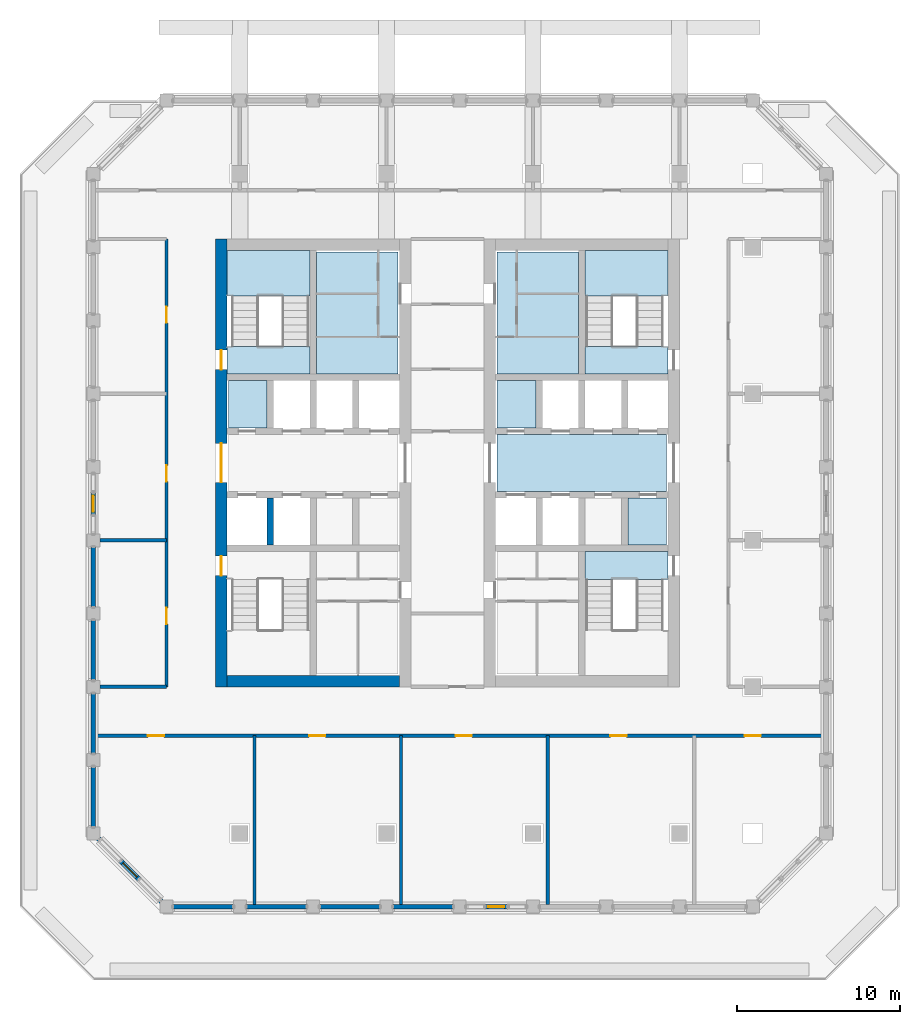
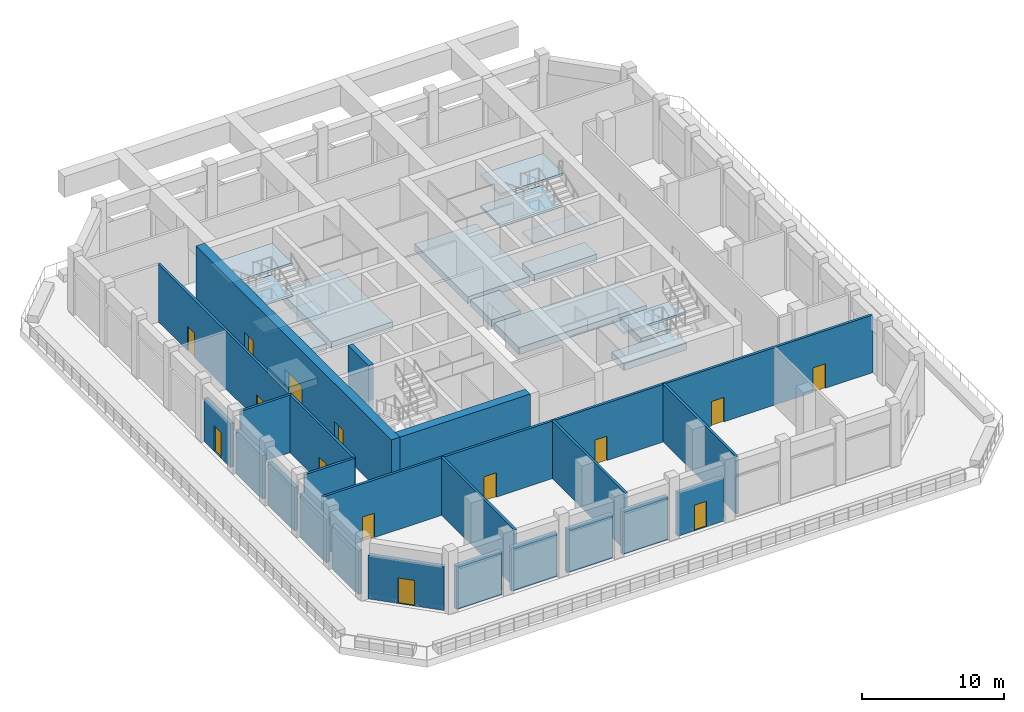
# One storey, part 3 of 19: 21 walls, 16 slabs, 14 doors, 14 openings, 3 elements without a shape of their own.
"""IFC4 building model written with IfcOpenShell, lengths in metres."""

from ifc_helpers import new_model, si_unit, direction, frame, frame_2d, origin, place, context, subcontext, project, spatial, polyline, rectangle, outline, extrude, material, layer, layer_set, type_object, element, fill, aggregate, save


model = new_model("IFC4")

# Units and contexts
model_context = context("Model", 3, precision=1e-05, world=origin(), true_north=direction((0.0, 1.0)))
body_context = subcontext(model_context, "Body", "Model", "MODEL_VIEW")
ifc_project = project(units=[si_unit("LENGTHUNIT", "METRE"), si_unit("AREAUNIT", "SQUARE_METRE"), si_unit("VOLUMEUNIT", "CUBIC_METRE"), si_unit("PLANEANGLEUNIT", "RADIAN"), si_unit("MASSUNIT", "GRAM", prefix="KILO")], contexts=[model_context])

# Site, building, storey
site_placement = place(None, origin())
site = spatial("IfcSite", under=ifc_project, at=site_placement, CompositionType="ELEMENT")
building_placement = place(site_placement, origin())
building = spatial("IfcBuilding", under=site, at=building_placement, Name="Corbel Stack Research Tower", CompositionType="ELEMENT")
storey_placement = place(building_placement, frame((0.0, 0.0, 226.199951171875)))
storey = spatial("IfcBuildingStorey", under=building, at=storey_placement, Name="L51", CompositionType="ELEMENT", Elevation=226.199951171875)

# Slabs
ifc_material_1 = material(Name="Concrete C45/55", Category="concrete")
ifc_layer_1 = layer(ifc_material_1, 0.60009765625)
ifc_layer_set_1 = layer_set([ifc_layer_1], Name="Concrete C45/55")
slab_type_1 = type_object("IfcSlabType", Name="PT-600", PredefinedType="FLOOR", material=ifc_layer_set_1)
slab_1_placement = place(storey_placement, frame((0.0, 0.0, -0.599853515625)))
element("IfcSlab", 1, at=slab_1_placement, inside=storey, type_object=slab_type_1, Name="West core floor L51", PredefinedType="FLOOR", context=body_context, shape_type="SweptSolid", body=[
    extrude(outline(polyline([(-9.699951171875, 6.89990234375), (-7.324951171875, 6.89990234375), (-7.324951171875, 9.800048828125), (-9.699951171875, 9.800048828125), (-9.699951171875, 6.89990234375)])), origin(), (0.0, 0.0, 1.0), 0.599853515625),
])
slab_2_placement = place(storey_placement, frame((0.0, 0.0, -0.599853515625)))
element("IfcSlab", 2, at=slab_2_placement, inside=storey, type_object=slab_type_1, Name="West core floor L51", PredefinedType="FLOOR", context=body_context, shape_type="SweptSolid", body=[
    extrude(outline(polyline([(0.699951171875, 17.699951171875), (-4.300048828125, 17.699951171875), (-4.300048828125, 10.199951171875), (0.699951171875, 10.199951171875), (0.699951171875, 17.699951171875)])), origin(), (0.0, 0.0, 1.0), 0.599853515625),
])
slab_3_placement = place(storey_placement, frame((0.0, 0.0, -0.599853515625)))
element("IfcSlab", 3, at=slab_3_placement, inside=storey, type_object=slab_type_1, Name="East core floor L51", PredefinedType="FLOOR", context=body_context, shape_type="SweptSolid", body=[
    extrude(outline(polyline([(17.199951171875, 6.5), (6.800048828125, 6.5), (6.800048828125, 3.0), (17.199951171875, 3.0), (17.199951171875, 6.5)])), origin(), (0.0, 0.0, 1.0), 0.599853515625),
])
slab_4_placement = place(storey_placement, frame((0.0, 0.0, -0.599853515625)))
element("IfcSlab", 4, at=slab_4_placement, inside=storey, type_object=slab_type_1, Name="East core floor L51", PredefinedType="FLOOR", context=body_context, shape_type="SweptSolid", body=[
    extrude(outline(polyline([(6.800048828125, 6.89990234375), (9.175048828125, 6.89990234375), (9.175048828125, 9.800048828125), (6.800048828125, 9.800048828125), (6.800048828125, 6.89990234375)])), origin(), (0.0, 0.0, 1.0), 0.599853515625),
])
slab_5_placement = place(storey_placement, frame((0.0, 0.0, -0.599853515625)))
element("IfcSlab", 5, at=slab_5_placement, inside=storey, type_object=slab_type_1, Name="East core floor L51", PredefinedType="FLOOR", context=body_context, shape_type="SweptSolid", body=[
    extrude(outline(polyline([(6.800048828125, 17.699951171875), (6.800048828125, 10.199951171875), (11.800048828125, 10.199951171875), (11.800048828125, 17.699951171875), (6.800048828125, 17.699951171875)])), origin(), (0.0, 0.0, 1.0), 0.599853515625),
])
slab_6_placement = place(storey_placement, frame((0.0, 0.0, -0.599853515625)))
element("IfcSlab", 6, at=slab_6_placement, inside=storey, type_object=slab_type_1, Name="East core floor L51", PredefinedType="FLOOR", context=body_context, shape_type="SweptSolid", body=[
    extrude(outline(polyline([(17.199951171875, -0.300048828125), (17.199951171875, 2.60009765625), (14.824951171875, 2.60009765625), (14.824951171875, -0.300048828125), (17.199951171875, -0.300048828125)])), origin(), (0.0, 0.0, 1.0), 0.599853515625),
])
slab_7_placement = place(storey_placement, frame((0.0, 0.0, -0.599853515625)))
element("IfcSlab", 7, at=slab_7_placement, inside=storey, type_object=slab_type_1, Name="Stair floor landing ST-W2", PredefinedType="FLOOR", context=body_context, shape_type="SweptSolid", body=[
    extrude(outline(polyline([(-9.800048828125, 10.199951171875), (-4.699951171875, 10.199951171875), (-4.699951171875, 11.89990234375), (-9.800048828125, 11.89990234375), (-9.800048828125, 10.199951171875)])), origin(), (0.0, 0.0, 1.0), 0.599853515625),
])
slab_8_placement = place(storey_placement, frame((0.0, 0.0, -0.599853515625)))
element("IfcSlab", 8, at=slab_8_placement, inside=storey, type_object=slab_type_1, Name="Stair floor landing ST-E1", PredefinedType="FLOOR", context=body_context, shape_type="SweptSolid", body=[
    extrude(outline(polyline([(12.199951171875, -2.39990234375), (17.300048828125, -2.39990234375), (17.300048828125, -0.699951171875), (12.199951171875, -0.699951171875), (12.199951171875, -2.39990234375)])), origin(), (0.0, 0.0, 1.0), 0.599853515625),
])
slab_9_placement = place(storey_placement, frame((0.0, 0.0, -0.599853515625)))
element("IfcSlab", 9, at=slab_9_placement, inside=storey, type_object=slab_type_1, Name="Stair floor landing ST-E2", PredefinedType="FLOOR", context=body_context, shape_type="SweptSolid", body=[
    extrude(outline(polyline([(12.199951171875, 10.199951171875), (17.300048828125, 10.199951171875), (17.300048828125, 11.89990234375), (12.199951171875, 11.89990234375), (12.199951171875, 10.199951171875)])), origin(), (0.0, 0.0, 1.0), 0.599853515625),
])

# Stair, slabs
ifc_material_2 = material(Name="Concrete C40/50", Category="concrete")
stair_type = type_object("IfcStairType", Name="Exit stair 32 risers, 443 going", PredefinedType="HALF_TURN_STAIR", material=ifc_material_2)
stair_1_placement = place(storey_placement, origin())
stair_1 = element("IfcStair", 10, at=stair_1_placement, inside=storey, type_object=stair_type, Name="L51 Exit stair ST-W2", PredefinedType="HALF_TURN_STAIR")
ifc_material_3 = material(Name="Concrete C40/50", Category="concrete")
ifc_layer_2 = layer(ifc_material_3, 0.199951171875)
ifc_layer_set_2 = layer_set([ifc_layer_2], Name="Concrete C40/50")
slab_type_2 = type_object("IfcSlabType", Name="Stair landing 200 C40/50", PredefinedType="LANDING", material=ifc_layer_set_2)
slab_10_placement = place(storey_placement, frame((0.0, 0.0, 1.150146484375)))
slab_10 = element("IfcSlab", 11, at=slab_10_placement, type_object=slab_type_2, Name="ST-W2 landing 1", PredefinedType="LANDING", context=body_context, shape_type="SweptSolid", body=[
    extrude(outline(polyline([(-9.800048828125, 15.0009765625), (-9.800048828125, 17.800048828125), (-4.699951171875, 17.800048828125), (-4.699951171875, 15.0009765625), (-9.800048828125, 15.0009765625)])), origin(), (0.0, 0.0, 1.0), 0.199951171875),
])
slab_11_placement = place(storey_placement, frame((0.0, 0.0, 2.5)))
slab_11 = element("IfcSlab", 12, at=slab_11_placement, type_object=slab_type_2, Name="ST-W2 landing 2", PredefinedType="LANDING", context=body_context, shape_type="SweptSolid", body=[
    extrude(outline(polyline([(-9.800048828125, 10.199951171875), (-9.800048828125, 11.89990234375), (-4.699951171875, 11.89990234375), (-4.699951171875, 10.199951171875), (-9.800048828125, 10.199951171875)])), origin(), (0.0, 0.0, 1.0), 0.199951171875),
])
slab_12_placement = place(storey_placement, frame((0.0, 0.0, 3.85009765625)))
slab_12 = element("IfcSlab", 13, at=slab_12_placement, type_object=slab_type_2, Name="ST-W2 landing 3", PredefinedType="LANDING", context=body_context, shape_type="SweptSolid", body=[
    extrude(outline(polyline([(-9.800048828125, 15.0009765625), (-9.800048828125, 17.800048828125), (-4.699951171875, 17.800048828125), (-4.699951171875, 15.0009765625), (-9.800048828125, 15.0009765625)])), origin(), (0.0, 0.0, 1.0), 0.199951171875),
])
aggregate(stair_1, [slab_10, slab_11, slab_12])

# Stair, slab
stair_2_placement = place(storey_placement, origin())
stair_2 = element("IfcStair", 14, at=stair_2_placement, inside=storey, type_object=stair_type, Name="L51 Exit stair ST-E1", PredefinedType="HALF_TURN_STAIR")
slab_13_placement = place(storey_placement, frame((0.0, 0.0, 2.5)))
slab_13 = element("IfcSlab", 15, at=slab_13_placement, type_object=slab_type_2, Name="ST-E1 landing 2", PredefinedType="LANDING", context=body_context, shape_type="SweptSolid", body=[
    extrude(outline(polyline([(12.199951171875, -2.39990234375), (12.199951171875, -0.699951171875), (17.300048828125, -0.699951171875), (17.300048828125, -2.39990234375), (12.199951171875, -2.39990234375)])), origin(), (0.0, 0.0, 1.0), 0.199951171875),
])
aggregate(stair_2, [slab_13])

# Stair, slabs
stair_3_placement = place(storey_placement, origin())
stair_3 = element("IfcStair", 16, at=stair_3_placement, inside=storey, type_object=stair_type, Name="L51 Exit stair ST-E2", PredefinedType="HALF_TURN_STAIR")
slab_14_placement = place(storey_placement, frame((0.0, 0.0, 1.150146484375)))
slab_14 = element("IfcSlab", 17, at=slab_14_placement, type_object=slab_type_2, Name="ST-E2 landing 1", PredefinedType="LANDING", context=body_context, shape_type="SweptSolid", body=[
    extrude(outline(polyline([(12.199951171875, 15.0009765625), (12.199951171875, 17.800048828125), (17.300048828125, 17.800048828125), (17.300048828125, 15.0009765625), (12.199951171875, 15.0009765625)])), origin(), (0.0, 0.0, 1.0), 0.199951171875),
])
slab_15_placement = place(storey_placement, frame((0.0, 0.0, 2.5)))
slab_15 = element("IfcSlab", 18, at=slab_15_placement, type_object=slab_type_2, Name="ST-E2 landing 2", PredefinedType="LANDING", context=body_context, shape_type="SweptSolid", body=[
    extrude(outline(polyline([(12.199951171875, 10.199951171875), (12.199951171875, 11.89990234375), (17.300048828125, 11.89990234375), (17.300048828125, 10.199951171875), (12.199951171875, 10.199951171875)])), origin(), (0.0, 0.0, 1.0), 0.199951171875),
])
slab_16_placement = place(storey_placement, frame((0.0, 0.0, 3.85009765625)))
slab_16 = element("IfcSlab", 19, at=slab_16_placement, type_object=slab_type_2, Name="ST-E2 landing 3", PredefinedType="LANDING", context=body_context, shape_type="SweptSolid", body=[
    extrude(outline(polyline([(12.199951171875, 15.0009765625), (12.199951171875, 17.800048828125), (17.300048828125, 17.800048828125), (17.300048828125, 15.0009765625), (12.199951171875, 15.0009765625)])), origin(), (0.0, 0.0, 1.0), 0.199951171875),
])
aggregate(stair_3, [slab_14, slab_15, slab_16])

# Wall
ifc_material_4 = material(Name="Concrete C60/75", Category="concrete")
ifc_layer_3 = layer(ifc_material_4, 0.39990234375)
ifc_layer_set_3 = layer_set([ifc_layer_3], Name="Concrete C60/75")
wall_type_1 = type_object("IfcWallType", Name="CW-400-60", PredefinedType="SHEAR", material=ifc_layer_set_3)
wall_1_placement = place(storey_placement, frame((-7.125, -0.300048828125, 0.0), z_axis=(0.0, 0.0, 1.0), x_axis=(0.0, 1.0, 0.0)))
element("IfcWall", 20, at=wall_1_placement, inside=storey, type_object=wall_type_1, Name="West core wall, south shaft 1 L51", PredefinedType="SHEAR", context=body_context, shape_type="SweptSolid", body=[
    extrude(rectangle(XDim=2.900146484375, YDim=0.39990234375, at=frame_2d((1.4501953125, 0.0))), origin(), (0.0, 0.0, 1.0), 5.400146484375),
])

# Wall, openings, doors
ifc_material_5 = material(Name="Concrete C60/75", Category="concrete")
ifc_layer_4 = layer(ifc_material_5, 0.699951171875)
ifc_layer_set_4 = layer_set([ifc_layer_4], Name="Concrete C60/75")
wall_type_2 = type_object("IfcWallType", Name="CW-700-60", PredefinedType="SHEAR", material=ifc_layer_set_4)
wall_2_placement = place(storey_placement, frame((-10.14990234375, -9.0, 0.0), z_axis=(0.0, 0.0, 1.0), x_axis=(0.0, 1.0, 0.0)))
wall_2 = element("IfcWall", 21, at=wall_2_placement, inside=storey, type_object=wall_type_2, Name="West core wall, west face L51", PredefinedType="SHEAR", context=body_context, shape_type="SweptSolid", body=[
    extrude(rectangle(XDim=27.5, YDim=0.699951171875, at=frame_2d((13.75, 0.0))), origin(), (0.0, 0.0, 1.0), 5.400146484375),
])
opening_1_placement = place(wall_2_placement, frame((12.550048828125, 0.0, 0.0)))
opening_1 = element("IfcOpeningElement", 22, at=opening_1_placement, cuts=wall_2, Name="Opening CD-W-W", PredefinedType="OPENING", context=body_context, shape_type="SweptSolid", body=[
    extrude(rectangle(XDim=2.39990234375, YDim=2.39990234375, at=frame_2d((1.199951171875, 1.199951171875))), frame((0.0, 0.35986328125, 0.0), z_axis=(0.0, -1.0, 0.0), x_axis=(1.0, 0.0, 0.0)), (0.0, 0.0, 1.0), 0.719970703125),
])
opening_2_placement = place(wall_2_placement, frame((6.824951171875, 0.0, 0.0)))
opening_2 = element("IfcOpeningElement", 23, at=opening_2_placement, cuts=wall_2, Name="Opening SD-ST-W1", PredefinedType="OPENING", context=body_context, shape_type="SweptSolid", body=[
    extrude(rectangle(XDim=1.199951171875, YDim=2.10009765625, at=frame_2d((0.60009765625, 1.050048828125))), frame((0.0, 0.35986328125, 0.0), z_axis=(0.0, -1.0, 0.0), x_axis=(1.0, 0.0, 0.0)), (0.0, 0.0, 1.0), 0.719970703125),
])
opening_3_placement = place(wall_2_placement, frame((19.47509765625, 0.0, 0.0)))
opening_3 = element("IfcOpeningElement", 24, at=opening_3_placement, cuts=wall_2, Name="Opening SD-ST-W2", PredefinedType="OPENING", context=body_context, shape_type="SweptSolid", body=[
    extrude(rectangle(XDim=1.199951171875, YDim=2.10009765625, at=frame_2d((0.60009765625, 1.050048828125))), frame((0.0, 0.35986328125, 0.0), z_axis=(0.0, -1.0, 0.0), x_axis=(1.0, 0.0, 0.0)), (0.0, 0.0, 1.0), 0.719970703125),
])
ifc_material_6 = material(Name="Painted steel fire door", Category="steel")
door_type_1 = type_object("IfcDoorType", Name="Lobby door pair 2400 x 2400 FD30S", OperationType="DOUBLE_DOOR_DOUBLE_SWING", PredefinedType="DOOR", material=ifc_material_6)
door_1_placement = place(opening_1_placement, origin())
door_1 = element("IfcDoor", 25, at=door_1_placement, inside=storey, type_object=door_type_1, Name="Lift lobby door W core W", OperationType="DOUBLE_DOOR_DOUBLE_SWING", OverallHeight=2.39990234375, OverallWidth=2.39990234375, PredefinedType="DOOR", context=body_context, shape_type="SweptSolid", body=[
    extrude(rectangle(XDim=2.39990234375, YDim=2.39990234375, at=frame_2d((1.199951171875, 1.199951171875))), frame((0.0, 0.02490234375, 0.0), z_axis=(0.0, -1.0, 0.0), x_axis=(1.0, 0.0, 0.0)), (0.0, 0.0, 1.0), 0.050048828125),
])
fill(opening_1, door_1)
ifc_material_7 = material(Name="Painted steel fire door", Category="steel")
door_type_2 = type_object("IfcDoorType", Name="Stair door 1200 x 2100 FD90 left hand", OperationType="SINGLE_SWING_LEFT", PredefinedType="DOOR", material=ifc_material_7)
door_2_placement = place(opening_2_placement, origin())
door_2 = element("IfcDoor", 26, at=door_2_placement, inside=storey, type_object=door_type_2, Name="Stair door ST-W1", OperationType="SINGLE_SWING_LEFT", OverallHeight=2.10009765625, OverallWidth=1.199951171875, PredefinedType="DOOR", context=body_context, shape_type="SweptSolid", body=[
    extrude(rectangle(XDim=1.199951171875, YDim=2.10009765625, at=frame_2d((0.60009765625, 1.050048828125))), frame((0.0, 0.02490234375, 0.0), z_axis=(0.0, -1.0, 0.0), x_axis=(1.0, 0.0, 0.0)), (0.0, 0.0, 1.0), 0.050048828125),
])
fill(opening_2, door_2)
door_3_placement = place(opening_3_placement, origin())
door_3 = element("IfcDoor", 27, at=door_3_placement, inside=storey, type_object=door_type_2, Name="Stair door ST-W2", OperationType="SINGLE_SWING_LEFT", OverallHeight=2.10009765625, OverallWidth=1.199951171875, PredefinedType="DOOR", context=body_context, shape_type="SweptSolid", body=[
    extrude(rectangle(XDim=1.199951171875, YDim=2.10009765625, at=frame_2d((0.60009765625, 1.050048828125))), frame((0.0, 0.02490234375, 0.0), z_axis=(0.0, -1.0, 0.0), x_axis=(1.0, 0.0, 0.0)), (0.0, 0.0, 1.0), 0.050048828125),
])
fill(opening_3, door_3)

# Wall
wall_3_placement = place(storey_placement, frame((-9.800048828125, -8.64990234375, 0.0), z_axis=(0.0, 0.0, 1.0), x_axis=(1.0, 0.0, 0.0)))
element("IfcWall", 28, at=wall_3_placement, inside=storey, type_object=wall_type_2, Name="West core wall, south end L51", PredefinedType="SHEAR", context=body_context, shape_type="SweptSolid", body=[
    extrude(rectangle(XDim=10.60009765625, YDim=0.699951171875, at=frame_2d((5.300048828125, 0.0))), origin(), (0.0, 0.0, 1.0), 5.400146484375),
])

# Wall, openings, doors
ifc_material_8 = material(Name="Fire-rated gypsum board partition on steel studs", Category="steel")
ifc_layer_5 = layer(ifc_material_8, 0.199951171875)
ifc_layer_set_5 = layer_set([ifc_layer_5], Name="Fire-rated gypsum board partition on steel studs")
wall_type_3 = type_object("IfcWallType", Name="Fire-rated partition 200 EI 60", PredefinedType="PARTITIONING", material=ifc_layer_set_5)
wall_4_placement = place(storey_placement, frame((-13.5, -9.0, 0.0), z_axis=(0.0, 0.0, 1.0), x_axis=(0.0, 1.0, 0.0)))
wall_4 = element("IfcWall", 29, at=wall_4_placement, inside=storey, type_object=wall_type_3, Name="Partition L51-001", PredefinedType="PARTITIONING", context=body_context, shape_type="SweptSolid", body=[
    extrude(rectangle(XDim=27.5, YDim=0.199951171875, at=frame_2d((13.75, 0.0))), origin(), (0.0, 0.0, 1.0), 4.949951171875),
])
opening_4_placement = place(wall_4_placement, frame((3.85009765625, 0.0, 0.0)))
opening_4 = element("IfcOpeningElement", 30, at=opening_4_placement, cuts=wall_4, Name="Opening PLANTL51-001", PredefinedType="OPENING", context=body_context, shape_type="SweptSolid", body=[
    extrude(rectangle(XDim=1.0, YDim=2.10009765625, at=frame_2d((0.5, 1.050048828125))), frame((0.0, 0.10986328125, 0.0), z_axis=(0.0, -1.0, 0.0), x_axis=(1.0, 0.0, 0.0)), (0.0, 0.0, 1.0), 0.219970703125),
])
opening_5_placement = place(wall_4_placement, frame((12.60009765625, 0.0, 0.0)))
opening_5 = element("IfcOpeningElement", 31, at=opening_5_placement, cuts=wall_4, Name="Opening PLANTL51-002", PredefinedType="OPENING", context=body_context, shape_type="SweptSolid", body=[
    extrude(rectangle(XDim=1.0, YDim=2.10009765625, at=frame_2d((0.5, 1.050048828125))), frame((0.0, 0.10986328125, 0.0), z_axis=(0.0, -1.0, 0.0), x_axis=(1.0, 0.0, 0.0)), (0.0, 0.0, 1.0), 0.219970703125),
])
opening_6_placement = place(wall_4_placement, frame((22.35009765625, 0.0, 0.0)))
opening_6 = element("IfcOpeningElement", 32, at=opening_6_placement, cuts=wall_4, Name="Opening PLANTL51-003", PredefinedType="OPENING", context=body_context, shape_type="SweptSolid", body=[
    extrude(rectangle(XDim=1.0, YDim=2.10009765625, at=frame_2d((0.5, 1.050048828125))), frame((0.0, 0.10986328125, 0.0), z_axis=(0.0, -1.0, 0.0), x_axis=(1.0, 0.0, 0.0)), (0.0, 0.0, 1.0), 0.219970703125),
])
ifc_material_9 = material(Name="Painted steel fire door", Category="steel")
door_type_3 = type_object("IfcDoorType", Name="Fire door FD30S 1000 x 2100", OperationType="NOTDEFINED", PredefinedType="DOOR", material=ifc_material_9)
door_4_placement = place(opening_4_placement, origin())
door_4 = element("IfcDoor", 33, at=door_4_placement, inside=storey, type_object=door_type_3, Name="Door PLANTL51-001", OperationType="SINGLE_SWING_LEFT", OverallHeight=2.10009765625, OverallWidth=1.0, PredefinedType="DOOR", context=body_context, shape_type="SweptSolid", body=[
    extrude(rectangle(XDim=1.0, YDim=2.10009765625, at=frame_2d((0.5, 1.050048828125))), frame((0.0, 0.02490234375, 0.0), z_axis=(0.0, -1.0, 0.0), x_axis=(1.0, 0.0, 0.0)), (0.0, 0.0, 1.0), 0.050048828125),
])
fill(opening_4, door_4)
door_5_placement = place(opening_5_placement, origin())
door_5 = element("IfcDoor", 34, at=door_5_placement, inside=storey, type_object=door_type_3, Name="Door PLANTL51-002", OperationType="SINGLE_SWING_LEFT", OverallHeight=2.10009765625, OverallWidth=1.0, PredefinedType="DOOR", context=body_context, shape_type="SweptSolid", body=[
    extrude(rectangle(XDim=1.0, YDim=2.10009765625, at=frame_2d((0.5, 1.050048828125))), frame((0.0, 0.02490234375, 0.0), z_axis=(0.0, -1.0, 0.0), x_axis=(1.0, 0.0, 0.0)), (0.0, 0.0, 1.0), 0.050048828125),
])
fill(opening_5, door_5)
door_6_placement = place(opening_6_placement, origin())
door_6 = element("IfcDoor", 35, at=door_6_placement, inside=storey, type_object=door_type_3, Name="Door PLANTL51-003", OperationType="SINGLE_SWING_RIGHT", OverallHeight=2.10009765625, OverallWidth=1.0, PredefinedType="DOOR", context=body_context, shape_type="SweptSolid", body=[
    extrude(rectangle(XDim=1.0, YDim=2.10009765625, at=frame_2d((0.5, 1.050048828125))), frame((0.0, 0.02490234375, 0.0), z_axis=(0.0, -1.0, 0.0), x_axis=(1.0, 0.0, 0.0)), (0.0, 0.0, 1.0), 0.050048828125),
])
fill(opening_6, door_6)

# Walls
for number, where, z_axis, x_axis, name in (
    (36, (-8.10009765625, -22.35009765625, 0.0), (0.0, 0.0, 1.0), (0.0, 1.0, 0.0), "Partition L51-004"),
    (37, (0.89990234375, -22.35009765625, 0.0), (0.0, 0.0, 1.0), (0.0, 1.0, 0.0), "Partition L51-007"),
    (38, (9.89990234375, -22.35009765625, 0.0), (0.0, 0.0, 1.0), (0.0, 1.0, 0.0), "Partition L51-010"),
):
    element("IfcWall", number, at=place(storey_placement, frame(where, z_axis=z_axis, x_axis=x_axis)), inside=storey, type_object=wall_type_3, Name=name, PredefinedType="PARTITIONING", context=body_context, shape_type="SweptSolid", body=[
        extrude(rectangle(XDim=10.35009765625, YDim=0.199951171875, at=frame_2d((5.175048828125, 0.0))), origin(), (0.0, 0.0, 1.0), 4.949951171875),
    ])

# Wall, openings, doors
wall_5_placement = place(storey_placement, frame((26.85009765625, -12.0, 0.0), z_axis=(0.0, 0.0, 1.0), x_axis=(-1.0, 0.0, 0.0)))
wall_5 = element("IfcWall", 39, at=wall_5_placement, inside=storey, type_object=wall_type_3, Name="Partition L51-015", PredefinedType="PARTITIONING", context=body_context, shape_type="SweptSolid", body=[
    extrude(rectangle(XDim=44.7001953125, YDim=0.199951171875, at=frame_2d((22.35009765625, 0.0))), origin(), (0.0, 0.0, 1.0), 4.949951171875),
])
opening_7_placement = place(wall_5_placement, frame((40.5, 0.0, 0.0)))
opening_7 = element("IfcOpeningElement", 40, at=opening_7_placement, cuts=wall_5, Name="Opening PLANTL51-004", PredefinedType="OPENING", context=body_context, shape_type="SweptSolid", body=[
    extrude(rectangle(XDim=1.0, YDim=2.10009765625, at=frame_2d((0.5, 1.050048828125))), frame((0.0, 0.10986328125, 0.0), z_axis=(0.0, -1.0, 0.0), x_axis=(1.0, 0.0, 0.0)), (0.0, 0.0, 1.0), 0.219970703125),
])
opening_8_placement = place(wall_5_placement, frame((30.60009765625, 0.0, 0.0)))
opening_8 = element("IfcOpeningElement", 41, at=opening_8_placement, cuts=wall_5, Name="Opening PLANTL51-005", PredefinedType="OPENING", context=body_context, shape_type="SweptSolid", body=[
    extrude(rectangle(XDim=1.0, YDim=2.10009765625, at=frame_2d((0.5, 1.050048828125))), frame((0.0, 0.10986328125, 0.0), z_axis=(0.0, -1.0, 0.0), x_axis=(1.0, 0.0, 0.0)), (0.0, 0.0, 1.0), 0.219970703125),
])
opening_9_placement = place(wall_5_placement, frame((21.60009765625, 0.0, 0.0)))
opening_9 = element("IfcOpeningElement", 42, at=opening_9_placement, cuts=wall_5, Name="Opening PLANTL51-006", PredefinedType="OPENING", context=body_context, shape_type="SweptSolid", body=[
    extrude(rectangle(XDim=1.0, YDim=2.10009765625, at=frame_2d((0.5, 1.050048828125))), frame((0.0, 0.10986328125, 0.0), z_axis=(0.0, -1.0, 0.0), x_axis=(1.0, 0.0, 0.0)), (0.0, 0.0, 1.0), 0.219970703125),
])
opening_10_placement = place(wall_5_placement, frame((12.10009765625, 0.0, 0.0)))
opening_10 = element("IfcOpeningElement", 43, at=opening_10_placement, cuts=wall_5, Name="Opening PLANTL51-007", PredefinedType="OPENING", context=body_context, shape_type="SweptSolid", body=[
    extrude(rectangle(XDim=1.0, YDim=2.10009765625, at=frame_2d((0.5, 1.050048828125))), frame((0.0, 0.10986328125, 0.0), z_axis=(0.0, -1.0, 0.0), x_axis=(1.0, 0.0, 0.0)), (0.0, 0.0, 1.0), 0.219970703125),
])
opening_11_placement = place(wall_5_placement, frame((3.85009765625, 0.0, 0.0)))
opening_11 = element("IfcOpeningElement", 44, at=opening_11_placement, cuts=wall_5, Name="Opening PLANTL51-008", PredefinedType="OPENING", context=body_context, shape_type="SweptSolid", body=[
    extrude(rectangle(XDim=1.0, YDim=2.10009765625, at=frame_2d((0.5, 1.050048828125))), frame((0.0, 0.10986328125, 0.0), z_axis=(0.0, -1.0, 0.0), x_axis=(1.0, 0.0, 0.0)), (0.0, 0.0, 1.0), 0.219970703125),
])
door_7_placement = place(opening_7_placement, origin())
door_7 = element("IfcDoor", 45, at=door_7_placement, inside=storey, type_object=door_type_3, Name="Door PLANTL51-004", OperationType="SINGLE_SWING_RIGHT", OverallHeight=2.10009765625, OverallWidth=1.0, PredefinedType="DOOR", context=body_context, shape_type="SweptSolid", body=[
    extrude(rectangle(XDim=1.0, YDim=2.10009765625, at=frame_2d((0.5, 1.050048828125))), frame((0.0, 0.02490234375, 0.0), z_axis=(0.0, -1.0, 0.0), x_axis=(1.0, 0.0, 0.0)), (0.0, 0.0, 1.0), 0.050048828125),
])
fill(opening_7, door_7)
door_8_placement = place(opening_8_placement, origin())
door_8 = element("IfcDoor", 46, at=door_8_placement, inside=storey, type_object=door_type_3, Name="Door PLANTL51-005", OperationType="SINGLE_SWING_RIGHT", OverallHeight=2.10009765625, OverallWidth=1.0, PredefinedType="DOOR", context=body_context, shape_type="SweptSolid", body=[
    extrude(rectangle(XDim=1.0, YDim=2.10009765625, at=frame_2d((0.5, 1.050048828125))), frame((0.0, 0.02490234375, 0.0), z_axis=(0.0, -1.0, 0.0), x_axis=(1.0, 0.0, 0.0)), (0.0, 0.0, 1.0), 0.050048828125),
])
fill(opening_8, door_8)
door_9_placement = place(opening_9_placement, origin())
door_9 = element("IfcDoor", 47, at=door_9_placement, inside=storey, type_object=door_type_3, Name="Door PLANTL51-006", OperationType="SINGLE_SWING_LEFT", OverallHeight=2.10009765625, OverallWidth=1.0, PredefinedType="DOOR", context=body_context, shape_type="SweptSolid", body=[
    extrude(rectangle(XDim=1.0, YDim=2.10009765625, at=frame_2d((0.5, 1.050048828125))), frame((0.0, 0.02490234375, 0.0), z_axis=(0.0, -1.0, 0.0), x_axis=(1.0, 0.0, 0.0)), (0.0, 0.0, 1.0), 0.050048828125),
])
fill(opening_9, door_9)
door_10_placement = place(opening_10_placement, origin())
door_10 = element("IfcDoor", 48, at=door_10_placement, inside=storey, type_object=door_type_3, Name="Door PLANTL51-007", OperationType="SINGLE_SWING_LEFT", OverallHeight=2.10009765625, OverallWidth=1.0, PredefinedType="DOOR", context=body_context, shape_type="SweptSolid", body=[
    extrude(rectangle(XDim=1.0, YDim=2.10009765625, at=frame_2d((0.5, 1.050048828125))), frame((0.0, 0.02490234375, 0.0), z_axis=(0.0, -1.0, 0.0), x_axis=(1.0, 0.0, 0.0)), (0.0, 0.0, 1.0), 0.050048828125),
])
fill(opening_10, door_10)
door_11_placement = place(opening_11_placement, origin())
door_11 = element("IfcDoor", 49, at=door_11_placement, inside=storey, type_object=door_type_3, Name="Door PLANTL51-008", OperationType="SINGLE_SWING_LEFT", OverallHeight=2.10009765625, OverallWidth=1.0, PredefinedType="DOOR", context=body_context, shape_type="SweptSolid", body=[
    extrude(rectangle(XDim=1.0, YDim=2.10009765625, at=frame_2d((0.5, 1.050048828125))), frame((0.0, 0.02490234375, 0.0), z_axis=(0.0, -1.0, 0.0), x_axis=(1.0, 0.0, 0.0)), (0.0, 0.0, 1.0), 0.050048828125),
])
fill(opening_11, door_11)

# Walls
for number, where, z_axis, x_axis, name in (
    (50, (-17.60009765625, -9.0, 0.0), (0.0, 0.0, 1.0), (1.0, 0.0, 0.0), "Partition L51-016"),
    (51, (-17.60009765625, 0.0, 0.0), (0.0, 0.0, 1.0), (1.0, 0.0, 0.0), "Partition L51-021"),
):
    element("IfcWall", number, at=place(storey_placement, frame(where, z_axis=z_axis, x_axis=x_axis)), inside=storey, type_object=wall_type_3, Name=name, PredefinedType="PARTITIONING", context=body_context, shape_type="SweptSolid", body=[
        extrude(rectangle(XDim=4.10009765625, YDim=0.199951171875, at=frame_2d((2.050048828125, 0.0))), origin(), (0.0, 0.0, 1.0), 4.949951171875),
    ])
ifc_material_10 = material(Name="Concrete C45/55", Category="concrete")
ifc_layer_6 = layer(ifc_material_10, 0.300048828125)
ifc_layer_set_6 = layer_set([ifc_layer_6], Name="Concrete C45/55")
wall_type_4 = type_object("IfcWallType", Name="Terracotta-faced concrete wall 300", PredefinedType="SOLIDWALL", material=ifc_layer_set_6)
for number, where, z_axis, x_axis, name in (
    (52, (-9.39990234375, -22.5, 0.0), (0.0, 0.0, 1.0), (-1.0, 0.0, 0.0), "Facade wall L51 S01"),
    (53, (-4.89990234375, -22.5, 0.0), (0.0, 0.0, 1.0), (-1.0, 0.0, 0.0), "Facade wall L51 S02"),
    (54, (-0.39990234375, -22.5, 0.0), (0.0, 0.0, 1.0), (-1.0, 0.0, 0.0), "Facade wall L51 S03"),
    (55, (4.10009765625, -22.5, 0.0), (0.0, 0.0, 1.0), (-1.0, 0.0, 0.0), "Facade wall L51 S04"),
):
    element("IfcWall", number, at=place(storey_placement, frame(where, z_axis=z_axis, x_axis=x_axis)), inside=storey, type_object=wall_type_4, Name=name, PredefinedType="SOLIDWALL", context=body_context, shape_type="SweptSolid", body=[
        extrude(rectangle(XDim=3.7001953125, YDim=0.300048828125, at=frame_2d((1.85009765625, 0.0))), origin(), (0.0, 0.0, 1.0), 3.75),
    ])

# Wall, opening, door
wall_6_placement = place(storey_placement, frame((8.60009765625, -22.5, 0.0), z_axis=(0.0, 0.0, 1.0), x_axis=(-1.0, 0.0, 0.0)))
wall_6 = element("IfcWall", 56, at=wall_6_placement, inside=storey, type_object=wall_type_4, Name="Facade wall L51 S05", PredefinedType="SOLIDWALL", context=body_context, shape_type="SweptSolid", body=[
    extrude(rectangle(XDim=3.7001953125, YDim=0.300048828125, at=frame_2d((1.85009765625, 0.0))), origin(), (0.0, 0.0, 1.0), 3.75),
])
opening_12_placement = place(wall_6_placement, frame((1.35009765625, 0.0, 0.0)))
opening_12 = element("IfcOpeningElement", 57, at=opening_12_placement, cuts=wall_6, Name="Opening L51-B01", PredefinedType="OPENING", context=body_context, shape_type="SweptSolid", body=[
    extrude(rectangle(XDim=1.0, YDim=2.199951171875, at=frame_2d((0.5, 1.10009765625))), frame((0.0, 0.159912109375, 0.0), z_axis=(0.0, -1.0, 0.0), x_axis=(1.0, 0.0, 0.0)), (0.0, 0.0, 1.0), 0.320068359375),
])
ifc_material_11 = material(Name="Aluminium frame, clear double glazing", Category="aluminium")
door_type_4 = type_object("IfcDoorType", Name="Balcony door BD1 1000 x 2200", OperationType="NOTDEFINED", PredefinedType="DOOR", material=ifc_material_11)
door_12_placement = place(opening_12_placement, origin())
door_12 = element("IfcDoor", 58, at=door_12_placement, inside=storey, type_object=door_type_4, Name="Balcony door L51-B01", OperationType="SINGLE_SWING_RIGHT", OverallHeight=2.199951171875, OverallWidth=1.0, PredefinedType="DOOR", context=body_context, shape_type="SweptSolid", body=[
    extrude(rectangle(XDim=1.0, YDim=2.199951171875, at=frame_2d((0.5, 1.10009765625))), frame((0.0, 0.02490234375, 0.0), z_axis=(0.0, -1.0, 0.0), x_axis=(1.0, 0.0, 0.0)), (0.0, 0.0, 1.0), 0.050048828125),
])
fill(opening_12, door_12)

wall_7_placement = place(storey_placement, frame((-18.0, 0.39990234375, 0.0), z_axis=(0.0, 0.0, 1.0), x_axis=(0.0, 1.0, 0.0)))
wall_7 = element("IfcWall", 59, at=wall_7_placement, inside=storey, type_object=wall_type_4, Name="Facade wall L51 W05", PredefinedType="SOLIDWALL", context=body_context, shape_type="SweptSolid", body=[
    extrude(rectangle(XDim=3.7001953125, YDim=0.300048828125, at=frame_2d((1.85009765625, 0.0))), origin(), (0.0, 0.0, 1.0), 3.75),
])
opening_13_placement = place(wall_7_placement, frame((1.35009765625, 0.0, 0.0)))
opening_13 = element("IfcOpeningElement", 60, at=opening_13_placement, cuts=wall_7, Name="Opening L51-B06", PredefinedType="OPENING", context=body_context, shape_type="SweptSolid", body=[
    extrude(rectangle(XDim=1.0, YDim=2.199951171875, at=frame_2d((0.5, 1.10009765625))), frame((0.0, 0.159912109375, 0.0), z_axis=(0.0, -1.0, 0.0), x_axis=(1.0, 0.0, 0.0)), (0.0, 0.0, 1.0), 0.320068359375),
])
door_13_placement = place(opening_13_placement, origin())
door_13 = element("IfcDoor", 61, at=door_13_placement, inside=storey, type_object=door_type_4, Name="Balcony door L51-B06", OperationType="SINGLE_SWING_RIGHT", OverallHeight=2.199951171875, OverallWidth=1.0, PredefinedType="DOOR", context=body_context, shape_type="SweptSolid", body=[
    extrude(rectangle(XDim=1.0, YDim=2.199951171875, at=frame_2d((0.5, 1.10009765625))), frame((0.0, 0.02490234375, 0.0), z_axis=(0.0, -1.0, 0.0), x_axis=(1.0, 0.0, 0.0)), (0.0, 0.0, 1.0), 0.050048828125),
])
fill(opening_13, door_13)

# Walls
for number, where, z_axis, x_axis, name in (
    (62, (-18.0, -4.10009765625, 0.0), (0.0, 0.0, 1.0), (0.0, 1.0, 0.0), "Facade wall L51 W06"),
    (63, (-18.0, -8.60009765625, 0.0), (0.0, 0.0, 1.0), (0.0, 1.0, 0.0), "Facade wall L51 W07"),
    (64, (-18.0, -13.10009765625, 0.0), (0.0, 0.0, 1.0), (0.0, 1.0, 0.0), "Facade wall L51 W08"),
    (65, (-18.0, -17.60009765625, 0.0), (0.0, 0.0, 1.0), (0.0, 1.0, 0.0), "Facade wall L51 W09"),
):
    element("IfcWall", number, at=place(storey_placement, frame(where, z_axis=z_axis, x_axis=x_axis)), inside=storey, type_object=wall_type_4, Name=name, PredefinedType="SOLIDWALL", context=body_context, shape_type="SweptSolid", body=[
        extrude(rectangle(XDim=3.7001953125, YDim=0.300048828125, at=frame_2d((1.85009765625, 0.0))), origin(), (0.0, 0.0, 1.0), 3.75),
    ])

# Wall, opening, door
wall_8_placement = place(storey_placement, frame((-13.7939453125, -22.2060546875, 0.0), z_axis=(0.0, 0.0, 1.0), x_axis=(-0.707106781187, 0.707106781187, 0.0)))
wall_8 = element("IfcWall", 66, at=wall_8_placement, inside=storey, type_object=wall_type_4, Name="Facade wall L51 SW01", PredefinedType="SOLIDWALL", context=body_context, shape_type="SweptSolid", body=[
    extrude(rectangle(XDim=5.532470703125, YDim=0.300048828125, at=frame_2d((2.76611328125, 0.0))), origin(), (0.0, 0.0, 1.0), 3.75),
])
opening_14_placement = place(wall_8_placement, frame((2.166259765625, 0.0, 0.0)))
opening_14 = element("IfcOpeningElement", 67, at=opening_14_placement, cuts=wall_8, Name="Opening L51-B07", PredefinedType="OPENING", context=body_context, shape_type="SweptSolid", body=[
    extrude(rectangle(XDim=1.199951171875, YDim=2.199951171875, at=frame_2d((0.60009765625, 1.10009765625))), frame((0.0, 0.159912109375, 0.0), z_axis=(0.0, -1.0, 0.0), x_axis=(1.0, 0.0, 0.0)), (0.0, 0.0, 1.0), 0.320068359375),
])
ifc_material_12 = material(Name="Aluminium frame, clear double glazing", Category="aluminium")
door_type_5 = type_object("IfcDoorType", Name="Balcony door BD2 1200 x 2200", OperationType="NOTDEFINED", PredefinedType="DOOR", material=ifc_material_12)
door_14_placement = place(opening_14_placement, origin())
door_14 = element("IfcDoor", 68, at=door_14_placement, inside=storey, type_object=door_type_5, Name="Balcony door L51-B07", OperationType="SINGLE_SWING_RIGHT", OverallHeight=2.199951171875, OverallWidth=1.199951171875, PredefinedType="DOOR", context=body_context, shape_type="SweptSolid", body=[
    extrude(rectangle(XDim=1.199951171875, YDim=2.199951171875, at=frame_2d((0.60009765625, 1.10009765625))), frame((0.0, 0.02490234375, 0.0), z_axis=(0.0, -1.0, 0.0), x_axis=(1.0, 0.0, 0.0)), (0.0, 0.0, 1.0), 0.050048828125),
])
fill(opening_14, door_14)

save(model, "model.ifc")
